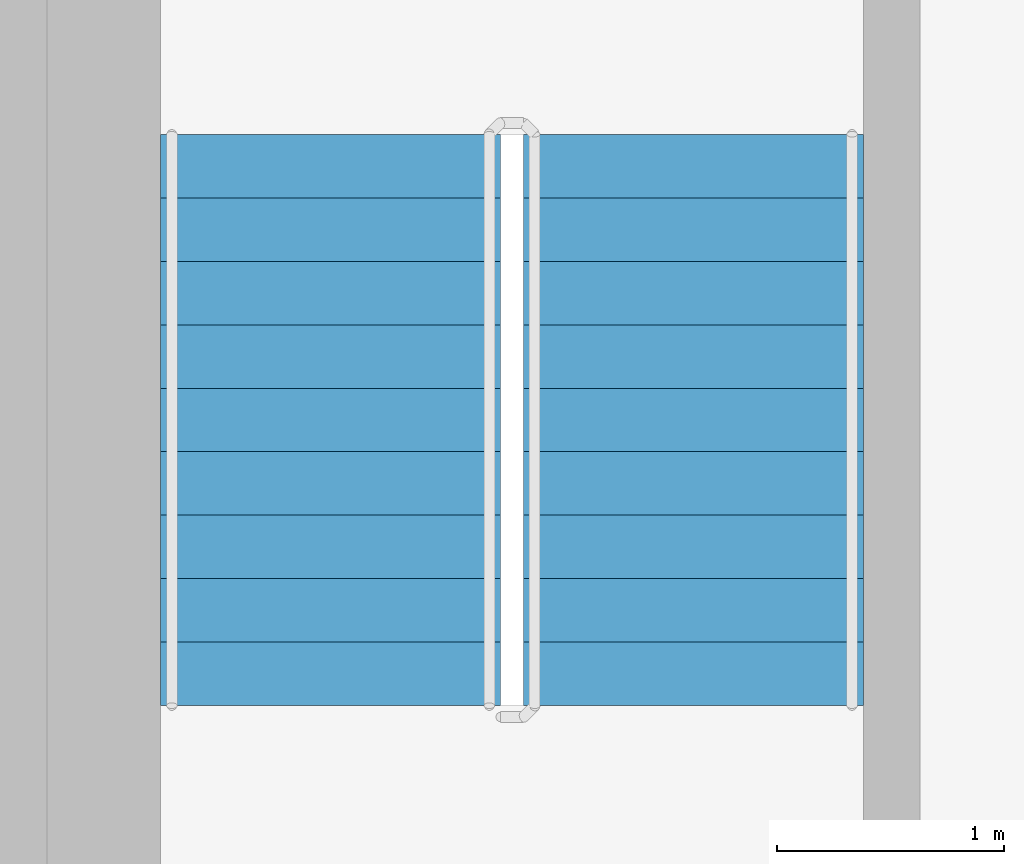
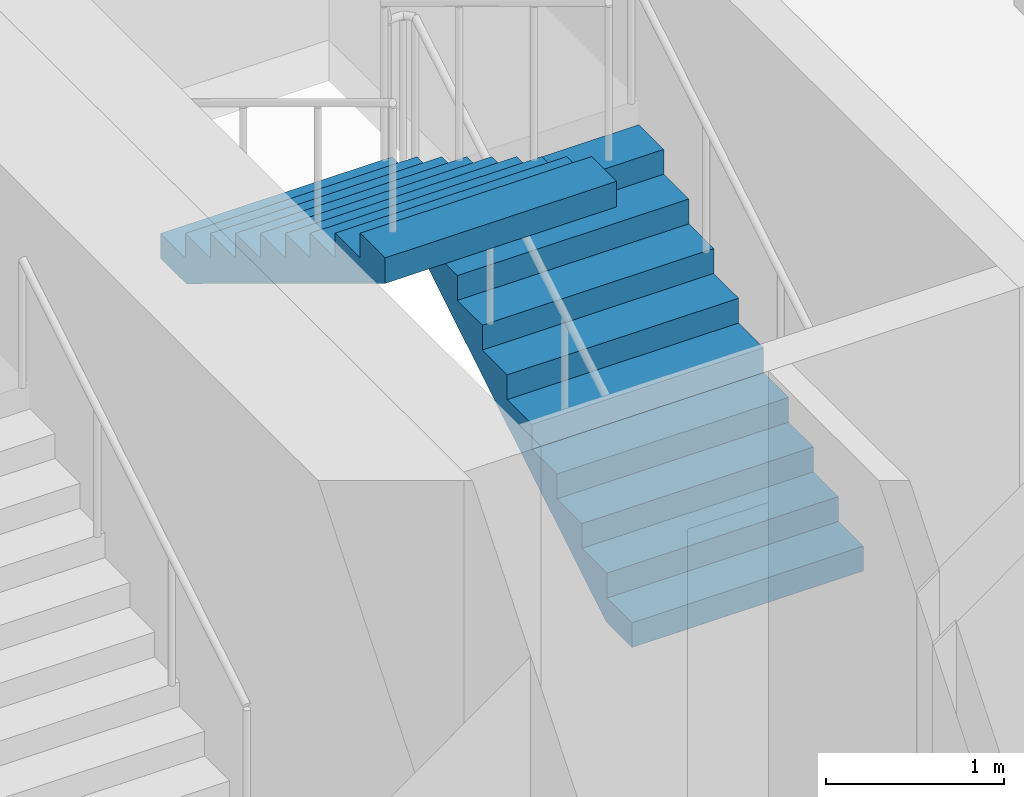
# One storey, part 21 of 24: 2 stair flights, 1 element without a shape of its own.
"""IFC4 building model written with IfcOpenShell, lengths in metres."""

from ifc_helpers import new_model, si_unit, direction, frame, origin, place, context, subcontext, project, spatial, triangles, source, transform, mapped, material, type_object, element, aggregate, save


model = new_model("IFC4")

# Units and contexts
model_context = context("Model", 3, precision=1e-05, world=origin(), true_north=direction((0.0, 1.0)))
body_context = subcontext(model_context, "Body", "Model", "MODEL_VIEW")
ifc_project = project(units=[si_unit("LENGTHUNIT", "METRE"), si_unit("AREAUNIT", "SQUARE_METRE"), si_unit("VOLUMEUNIT", "CUBIC_METRE"), si_unit("PLANEANGLEUNIT", "RADIAN"), si_unit("MASSUNIT", "GRAM", prefix="KILO")], contexts=[model_context])

# Site, building, storey
site_placement = place(None, origin())
site = spatial("IfcSite", under=ifc_project, at=site_placement, CompositionType="ELEMENT")
building_placement = place(site_placement, origin())
building = spatial("IfcBuilding", under=site, at=building_placement, Name="Kilnfold Tower and Market Hall", CompositionType="ELEMENT")
storey_placement = place(building_placement, frame((0.0, 0.0, 192.300048828125)))
storey = spatial("IfcBuildingStorey", under=building, at=storey_placement, Name="L46", CompositionType="ELEMENT", Elevation=192.300048828125)

# Stair, stair flights
ifc_material_1 = material(Name="Concrete C40/50", Category="concrete")
stair_type = type_object("IfcStairType", Name="CORE STAIR 1500", PredefinedType="HALF_TURN_STAIR", material=ifc_material_1)
stair_placement = place(storey_placement, origin())
stair = element("IfcStair", 1, at=stair_placement, inside=storey, type_object=stair_type, Name="L46 ST5", PredefinedType="HALF_TURN_STAIR")
ifc_material_2 = material(Name="Concrete C40/50", Category="concrete")
stair_flight_type = type_object("IfcStairFlightType", Name="CORE STAIR FLIGHT 1500", PredefinedType="STRAIGHT", material=ifc_material_2)
shared_shape = source(origin(), body_context, "Body", "Tessellation", [
    triangles([(0.0, 0.75, 0.0), (0.0, 0.65625, 0.0), (0.0, 0.5625, 0.0), (0.0, 0.46875, 0.0), (0.0, 0.375, 0.0), (0.0, 0.28125, 0.0), (0.0, 0.1875, 0.0), (0.0, 0.09375, 0.0), (0.0, 0.0, 0.0), (0.0, -0.09375, 0.0), (0.0, -0.1875, 0.0), (0.0, -0.28125, 0.0), (0.0, -0.375, 0.0), (0.0, -0.46875, 0.0), (0.0, -0.5625, 0.0), (0.0, -0.65625, 0.0), (0.0, -0.75, 0.0), (0.0, 0.75, 0.169921875), (0.0, 0.65625, 0.169921875), (0.0, 0.5625, 0.169921875), (0.0, 0.46875, 0.169921875), (0.0, 0.375, 0.169921875), (0.0, 0.28125, 0.169921875), (0.0, 0.1875, 0.169921875), (0.0, 0.09375, 0.169921875), (0.0, 0.0, 0.169921875), (0.0, -0.09375, 0.169921875), (0.0, -0.1875, 0.169921875), (0.0, -0.28125, 0.169921875), (0.0, -0.375, 0.169921875), (0.0, -0.46875, 0.169921875), (0.0, -0.5625, 0.169921875), (0.0, -0.65625, 0.169921875), (0.0, -0.75, 0.169921875), (0.280029296875, 0.75, 0.169921875), (0.280029296875, 0.65625, 0.169921875), (0.280029296875, 0.5625, 0.169921875), (0.280029296875, 0.46875, 0.169921875), (0.280029296875, 0.375, 0.169921875), (0.280029296875, 0.28125, 0.169921875), (0.280029296875, 0.1875, 0.169921875), (0.280029296875, 0.09375, 0.169921875), (0.280029296875, 0.0, 0.169921875), (0.280029296875, -0.09375, 0.169921875), (0.280029296875, -0.1875, 0.169921875), (0.280029296875, -0.28125, 0.169921875), (0.280029296875, -0.375, 0.169921875), (0.280029296875, -0.46875, 0.169921875), (0.280029296875, -0.5625, 0.169921875), (0.280029296875, -0.65625, 0.169921875), (0.280029296875, -0.75, 0.169921875), (0.280029296875, 0.75, 0.340087890625), (0.280029296875, 0.65625, 0.340087890625), (0.280029296875, 0.5625, 0.340087890625), (0.280029296875, 0.46875, 0.340087890625), (0.280029296875, 0.375, 0.340087890625), (0.280029296875, 0.28125, 0.340087890625), (0.280029296875, 0.1875, 0.340087890625), (0.280029296875, 0.09375, 0.340087890625), (0.280029296875, 0.0, 0.340087890625), (0.280029296875, -0.09375, 0.340087890625), (0.280029296875, -0.1875, 0.340087890625), (0.280029296875, -0.28125, 0.340087890625), (0.280029296875, -0.375, 0.340087890625), (0.280029296875, -0.46875, 0.340087890625), (0.280029296875, -0.5625, 0.340087890625), (0.280029296875, -0.65625, 0.340087890625), (0.280029296875, -0.75, 0.340087890625), (0.56005859375, 0.75, 0.340087890625), (0.56005859375, 0.65625, 0.340087890625), (0.56005859375, 0.5625, 0.340087890625), (0.56005859375, 0.46875, 0.340087890625), (0.56005859375, 0.375, 0.340087890625), (0.56005859375, 0.28125, 0.340087890625), (0.56005859375, 0.1875, 0.340087890625), (0.56005859375, 0.09375, 0.340087890625), (0.56005859375, 0.0, 0.340087890625), (0.56005859375, -0.09375, 0.340087890625), (0.56005859375, -0.1875, 0.340087890625), (0.56005859375, -0.28125, 0.340087890625), (0.56005859375, -0.375, 0.340087890625), (0.56005859375, -0.46875, 0.340087890625), (0.56005859375, -0.5625, 0.340087890625), (0.56005859375, -0.65625, 0.340087890625), (0.56005859375, -0.75, 0.340087890625), (0.56005859375, 0.75, 0.510009765625), (0.56005859375, 0.65625, 0.510009765625), (0.56005859375, 0.5625, 0.510009765625), (0.56005859375, 0.46875, 0.510009765625), (0.56005859375, 0.375, 0.510009765625), (0.56005859375, 0.28125, 0.510009765625), (0.56005859375, 0.1875, 0.510009765625), (0.56005859375, 0.09375, 0.510009765625), (0.56005859375, 0.0, 0.510009765625), (0.56005859375, -0.09375, 0.510009765625), (0.56005859375, -0.1875, 0.510009765625), (0.56005859375, -0.28125, 0.510009765625), (0.56005859375, -0.375, 0.510009765625), (0.56005859375, -0.46875, 0.510009765625), (0.56005859375, -0.5625, 0.510009765625), (0.56005859375, -0.65625, 0.510009765625), (0.56005859375, -0.75, 0.510009765625), (0.840087890625, 0.75, 0.510009765625), (0.840087890625, 0.65625, 0.510009765625), (0.840087890625, 0.5625, 0.510009765625), (0.840087890625, 0.46875, 0.510009765625), (0.840087890625, 0.375, 0.510009765625), (0.840087890625, 0.28125, 0.510009765625), (0.840087890625, 0.1875, 0.510009765625), (0.840087890625, 0.09375, 0.510009765625), (0.840087890625, 0.0, 0.510009765625), (0.840087890625, -0.09375, 0.510009765625), (0.840087890625, -0.1875, 0.510009765625), (0.840087890625, -0.28125, 0.510009765625), (0.840087890625, -0.375, 0.510009765625), (0.840087890625, -0.46875, 0.510009765625), (0.840087890625, -0.5625, 0.510009765625), (0.840087890625, -0.65625, 0.510009765625), (0.840087890625, -0.75, 0.510009765625), (0.840087890625, 0.75, 0.679931640625), (0.840087890625, 0.65625, 0.679931640625), (0.840087890625, 0.5625, 0.679931640625), (0.840087890625, 0.46875, 0.679931640625), (0.840087890625, 0.375, 0.679931640625), (0.840087890625, 0.28125, 0.679931640625), (0.840087890625, 0.1875, 0.679931640625), (0.840087890625, 0.09375, 0.679931640625), (0.840087890625, 0.0, 0.679931640625), (0.840087890625, -0.09375, 0.679931640625), (0.840087890625, -0.1875, 0.679931640625), (0.840087890625, -0.28125, 0.679931640625), (0.840087890625, -0.375, 0.679931640625), (0.840087890625, -0.46875, 0.679931640625), (0.840087890625, -0.5625, 0.679931640625), (0.840087890625, -0.65625, 0.679931640625), (0.840087890625, -0.75, 0.679931640625), (1.1201171875, 0.75, 0.679931640625), (1.1201171875, 0.65625, 0.679931640625), (1.1201171875, 0.5625, 0.679931640625), (1.1201171875, 0.46875, 0.679931640625), (1.1201171875, 0.375, 0.679931640625), (1.1201171875, 0.28125, 0.679931640625), (1.1201171875, 0.1875, 0.679931640625), (1.1201171875, 0.09375, 0.679931640625), (1.1201171875, 0.0, 0.679931640625), (1.1201171875, -0.09375, 0.679931640625), (1.1201171875, -0.1875, 0.679931640625), (1.1201171875, -0.28125, 0.679931640625), (1.1201171875, -0.375, 0.679931640625), (1.1201171875, -0.46875, 0.679931640625), (1.1201171875, -0.5625, 0.679931640625), (1.1201171875, -0.65625, 0.679931640625), (1.1201171875, -0.75, 0.679931640625), (1.1201171875, 0.75, 0.85009765625), (1.1201171875, 0.65625, 0.85009765625), (1.1201171875, 0.5625, 0.85009765625), (1.1201171875, 0.46875, 0.85009765625), (1.1201171875, 0.375, 0.85009765625), (1.1201171875, 0.28125, 0.85009765625), (1.1201171875, 0.1875, 0.85009765625), (1.1201171875, 0.09375, 0.85009765625), (1.1201171875, 0.0, 0.85009765625), (1.1201171875, -0.09375, 0.85009765625), (1.1201171875, -0.1875, 0.85009765625), (1.1201171875, -0.28125, 0.85009765625), (1.1201171875, -0.375, 0.85009765625), (1.1201171875, -0.46875, 0.85009765625), (1.1201171875, -0.5625, 0.85009765625), (1.1201171875, -0.65625, 0.85009765625), (1.1201171875, -0.75, 0.85009765625), (1.39990234375, 0.75, 0.85009765625), (1.39990234375, 0.65625, 0.85009765625), (1.39990234375, 0.5625, 0.85009765625), (1.39990234375, 0.46875, 0.85009765625), (1.39990234375, 0.375, 0.85009765625), (1.39990234375, 0.28125, 0.85009765625), (1.39990234375, 0.1875, 0.85009765625), (1.39990234375, 0.09375, 0.85009765625), (1.39990234375, 0.0, 0.85009765625), (1.39990234375, -0.09375, 0.85009765625), (1.39990234375, -0.1875, 0.85009765625), (1.39990234375, -0.28125, 0.85009765625), (1.39990234375, -0.375, 0.85009765625), (1.39990234375, -0.46875, 0.85009765625), (1.39990234375, -0.5625, 0.85009765625), (1.39990234375, -0.65625, 0.85009765625), (1.39990234375, -0.75, 0.85009765625), (1.39990234375, 0.75, 1.02001953125), (1.39990234375, 0.65625, 1.02001953125), (1.39990234375, 0.5625, 1.02001953125), (1.39990234375, 0.46875, 1.02001953125), (1.39990234375, 0.375, 1.02001953125), (1.39990234375, 0.28125, 1.02001953125), (1.39990234375, 0.1875, 1.02001953125), (1.39990234375, 0.09375, 1.02001953125), (1.39990234375, 0.0, 1.02001953125), (1.39990234375, -0.09375, 1.02001953125), (1.39990234375, -0.1875, 1.02001953125), (1.39990234375, -0.28125, 1.02001953125), (1.39990234375, -0.375, 1.02001953125), (1.39990234375, -0.46875, 1.02001953125), (1.39990234375, -0.5625, 1.02001953125), (1.39990234375, -0.65625, 1.02001953125), (1.39990234375, -0.75, 1.02001953125), (1.679931640625, 0.75, 1.02001953125), (1.679931640625, 0.65625, 1.02001953125), (1.679931640625, 0.5625, 1.02001953125), (1.679931640625, 0.46875, 1.02001953125), (1.679931640625, 0.375, 1.02001953125), (1.679931640625, 0.28125, 1.02001953125), (1.679931640625, 0.1875, 1.02001953125), (1.679931640625, 0.09375, 1.02001953125), (1.679931640625, 0.0, 1.02001953125), (1.679931640625, -0.09375, 1.02001953125), (1.679931640625, -0.1875, 1.02001953125), (1.679931640625, -0.28125, 1.02001953125), (1.679931640625, -0.375, 1.02001953125), (1.679931640625, -0.46875, 1.02001953125), (1.679931640625, -0.5625, 1.02001953125), (1.679931640625, -0.65625, 1.02001953125), (1.679931640625, -0.75, 1.02001953125), (1.679931640625, 0.75, 1.18994140625), (1.679931640625, 0.65625, 1.18994140625), (1.679931640625, 0.5625, 1.18994140625), (1.679931640625, 0.46875, 1.18994140625), (1.679931640625, 0.375, 1.18994140625), (1.679931640625, 0.28125, 1.18994140625), (1.679931640625, 0.1875, 1.18994140625), (1.679931640625, 0.09375, 1.18994140625), (1.679931640625, 0.0, 1.18994140625), (1.679931640625, -0.09375, 1.18994140625), (1.679931640625, -0.1875, 1.18994140625), (1.679931640625, -0.28125, 1.18994140625), (1.679931640625, -0.375, 1.18994140625), (1.679931640625, -0.46875, 1.18994140625), (1.679931640625, -0.5625, 1.18994140625), (1.679931640625, -0.65625, 1.18994140625), (1.679931640625, -0.75, 1.18994140625), (1.9599609375, 0.75, 1.18994140625), (1.9599609375, 0.65625, 1.18994140625), (1.9599609375, 0.5625, 1.18994140625), (1.9599609375, 0.46875, 1.18994140625), (1.9599609375, 0.375, 1.18994140625), (1.9599609375, 0.28125, 1.18994140625), (1.9599609375, 0.1875, 1.18994140625), (1.9599609375, 0.09375, 1.18994140625), (1.9599609375, 0.0, 1.18994140625), (1.9599609375, -0.09375, 1.18994140625), (1.9599609375, -0.1875, 1.18994140625), (1.9599609375, -0.28125, 1.18994140625), (1.9599609375, -0.375, 1.18994140625), (1.9599609375, -0.46875, 1.18994140625), (1.9599609375, -0.5625, 1.18994140625), (1.9599609375, -0.65625, 1.18994140625), (1.9599609375, -0.75, 1.18994140625), (1.9599609375, 0.75, 1.360107421875), (1.9599609375, 0.65625, 1.360107421875), (1.9599609375, 0.5625, 1.360107421875), (1.9599609375, 0.46875, 1.360107421875), (1.9599609375, 0.375, 1.360107421875), (1.9599609375, 0.28125, 1.360107421875), (1.9599609375, 0.1875, 1.360107421875), (1.9599609375, 0.09375, 1.360107421875), (1.9599609375, 0.0, 1.360107421875), (1.9599609375, -0.09375, 1.360107421875), (1.9599609375, -0.1875, 1.360107421875), (1.9599609375, -0.28125, 1.360107421875), (1.9599609375, -0.375, 1.360107421875), (1.9599609375, -0.46875, 1.360107421875), (1.9599609375, -0.5625, 1.360107421875), (1.9599609375, -0.65625, 1.360107421875), (1.9599609375, -0.75, 1.360107421875), (2.239990234375, 0.75, 1.360107421875), (2.239990234375, 0.65625, 1.360107421875), (2.239990234375, 0.5625, 1.360107421875), (2.239990234375, 0.46875, 1.360107421875), (2.239990234375, 0.375, 1.360107421875), (2.239990234375, 0.28125, 1.360107421875), (2.239990234375, 0.1875, 1.360107421875), (2.239990234375, 0.09375, 1.360107421875), (2.239990234375, 0.0, 1.360107421875), (2.239990234375, -0.09375, 1.360107421875), (2.239990234375, -0.1875, 1.360107421875), (2.239990234375, -0.28125, 1.360107421875), (2.239990234375, -0.375, 1.360107421875), (2.239990234375, -0.46875, 1.360107421875), (2.239990234375, -0.5625, 1.360107421875), (2.239990234375, -0.65625, 1.360107421875), (2.239990234375, -0.75, 1.360107421875), (2.239990234375, 0.75, 1.530029296875), (2.239990234375, 0.65625, 1.530029296875), (2.239990234375, 0.5625, 1.530029296875), (2.239990234375, 0.46875, 1.530029296875), (2.239990234375, 0.375, 1.530029296875), (2.239990234375, 0.28125, 1.530029296875), (2.239990234375, 0.1875, 1.530029296875), (2.239990234375, 0.09375, 1.530029296875), (2.239990234375, 0.0, 1.530029296875), (2.239990234375, -0.09375, 1.530029296875), (2.239990234375, -0.1875, 1.530029296875), (2.239990234375, -0.28125, 1.530029296875), (2.239990234375, -0.375, 1.530029296875), (2.239990234375, -0.46875, 1.530029296875), (2.239990234375, -0.5625, 1.530029296875), (2.239990234375, -0.65625, 1.530029296875), (2.239990234375, -0.75, 1.530029296875), (2.52001953125, 0.75, 1.530029296875), (2.52001953125, 0.65625, 1.530029296875), (2.52001953125, 0.5625, 1.530029296875), (2.52001953125, 0.46875, 1.530029296875), (2.52001953125, 0.375, 1.530029296875), (2.52001953125, 0.28125, 1.530029296875), (2.52001953125, 0.1875, 1.530029296875), (2.52001953125, 0.09375, 1.530029296875), (2.52001953125, 0.0, 1.530029296875), (2.52001953125, -0.09375, 1.530029296875), (2.52001953125, -0.1875, 1.530029296875), (2.52001953125, -0.28125, 1.530029296875), (2.52001953125, -0.375, 1.530029296875), (2.52001953125, -0.46875, 1.530029296875), (2.52001953125, -0.5625, 1.530029296875), (2.52001953125, -0.65625, 1.530029296875), (2.52001953125, -0.75, 1.530029296875), (2.52001953125, 0.75, 1.354736328125), (2.52001953125, 0.65625, 1.354736328125), (2.52001953125, 0.5625, 1.354736328125), (2.52001953125, 0.46875, 1.354736328125), (2.52001953125, 0.375, 1.354736328125), (2.52001953125, 0.28125, 1.354736328125), (2.52001953125, 0.1875, 1.354736328125), (2.52001953125, 0.09375, 1.354736328125), (2.52001953125, 0.0, 1.354736328125), (2.52001953125, -0.09375, 1.354736328125), (2.52001953125, -0.1875, 1.354736328125), (2.52001953125, -0.28125, 1.354736328125), (2.52001953125, -0.375, 1.354736328125), (2.52001953125, -0.46875, 1.354736328125), (2.52001953125, -0.5625, 1.354736328125), (2.52001953125, -0.65625, 1.354736328125), (2.52001953125, -0.75, 1.354736328125), (0.288818359375, 0.75, 0.0), (0.288818359375, 0.65625, 0.0), (0.288818359375, 0.5625, 0.0), (0.288818359375, 0.46875, 0.0), (0.288818359375, 0.375, 0.0), (0.288818359375, 0.28125, 0.0), (0.288818359375, 0.1875, 0.0), (0.288818359375, 0.09375, 0.0), (0.288818359375, 0.0, 0.0), (0.288818359375, -0.09375, 0.0), (0.288818359375, -0.1875, 0.0), (0.288818359375, -0.28125, 0.0), (0.288818359375, -0.375, 0.0), (0.288818359375, -0.46875, 0.0), (0.288818359375, -0.5625, 0.0), (0.288818359375, -0.65625, 0.0), (0.288818359375, -0.75, 0.0)], [[1, 324, 341], [17, 357, 340], [324, 290, 307], [340, 323, 306], [324, 273, 290], [340, 306, 289], [324, 256, 273], [340, 289, 272], [324, 239, 256], [340, 272, 255], [239, 205, 222], [255, 238, 221], [324, 205, 239], [340, 255, 221], [205, 171, 188], [221, 204, 187], [324, 171, 205], [340, 221, 187], [171, 137, 154], [187, 170, 153], [324, 137, 171], [340, 187, 153], [137, 103, 120], [153, 136, 119], [324, 103, 137], [340, 153, 119], [103, 69, 86], [119, 102, 85], [324, 69, 103], [340, 119, 85], [69, 35, 52], [85, 68, 51], [324, 35, 69], [340, 85, 51], [1, 35, 324], [17, 340, 51], [35, 1, 18], [51, 34, 17], [1, 19, 18], [1, 2, 19], [2, 20, 19], [2, 3, 20], [3, 21, 20], [3, 4, 21], [4, 22, 21], [4, 5, 22], [5, 23, 22], [5, 6, 23], [6, 24, 23], [6, 7, 24], [7, 25, 24], [7, 8, 25], [8, 26, 25], [8, 9, 26], [9, 27, 26], [9, 10, 27], [10, 28, 27], [10, 11, 28], [11, 29, 28], [11, 12, 29], [12, 30, 29], [12, 13, 30], [13, 31, 30], [13, 14, 31], [14, 32, 31], [14, 15, 32], [15, 33, 32], [15, 16, 33], [16, 34, 33], [16, 17, 34], [18, 36, 35], [18, 19, 36], [19, 37, 36], [19, 20, 37], [20, 38, 37], [20, 21, 38], [21, 39, 38], [21, 22, 39], [22, 40, 39], [22, 23, 40], [23, 41, 40], [23, 24, 41], [24, 42, 41], [24, 25, 42], [25, 43, 42], [25, 26, 43], [26, 44, 43], [26, 27, 44], [27, 45, 44], [27, 28, 45], [28, 46, 45], [28, 29, 46], [29, 47, 46], [29, 30, 47], [30, 48, 47], [30, 31, 48], [31, 49, 48], [31, 32, 49], [32, 50, 49], [32, 33, 50], [33, 51, 50], [33, 34, 51], [35, 53, 52], [35, 36, 53], [36, 54, 53], [36, 37, 54], [37, 55, 54], [37, 38, 55], [38, 56, 55], [38, 39, 56], [39, 57, 56], [39, 40, 57], [40, 58, 57], [40, 41, 58], [41, 59, 58], [41, 42, 59], [42, 60, 59], [42, 43, 60], [43, 61, 60], [43, 44, 61], [44, 62, 61], [44, 45, 62], [45, 63, 62], [45, 46, 63], [46, 64, 63], [46, 47, 64], [47, 65, 64], [47, 48, 65], [48, 66, 65], [48, 49, 66], [49, 67, 66], [49, 50, 67], [50, 68, 67], [50, 51, 68], [52, 70, 69], [52, 53, 70], [53, 71, 70], [53, 54, 71], [54, 72, 71], [54, 55, 72], [55, 73, 72], [55, 56, 73], [56, 74, 73], [56, 57, 74], [57, 75, 74], [57, 58, 75], [58, 76, 75], [58, 59, 76], [59, 77, 76], [59, 60, 77], [60, 78, 77], [60, 61, 78], [61, 79, 78], [61, 62, 79], [62, 80, 79], [62, 63, 80], [63, 81, 80], [63, 64, 81], [64, 82, 81], [64, 65, 82], [65, 83, 82], [65, 66, 83], [66, 84, 83], [66, 67, 84], [67, 85, 84], [67, 68, 85], [69, 87, 86], [69, 70, 87], [70, 88, 87], [70, 71, 88], [71, 89, 88], [71, 72, 89], [72, 90, 89], [72, 73, 90], [73, 91, 90], [73, 74, 91], [74, 92, 91], [74, 75, 92], [75, 93, 92], [75, 76, 93], [76, 94, 93], [76, 77, 94], [77, 95, 94], [77, 78, 95], [78, 96, 95], [78, 79, 96], [79, 97, 96], [79, 80, 97], [80, 98, 97], [80, 81, 98], [81, 99, 98], [81, 82, 99], [82, 100, 99], [82, 83, 100], [83, 101, 100], [83, 84, 101], [84, 102, 101], [84, 85, 102], [86, 104, 103], [86, 87, 104], [87, 105, 104], [87, 88, 105], [88, 106, 105], [88, 89, 106], [89, 107, 106], [89, 90, 107], [90, 108, 107], [90, 91, 108], [91, 109, 108], [91, 92, 109], [92, 110, 109], [92, 93, 110], [93, 111, 110], [93, 94, 111], [94, 112, 111], [94, 95, 112], [95, 113, 112], [95, 96, 113], [96, 114, 113], [96, 97, 114], [97, 115, 114], [97, 98, 115], [98, 116, 115], [98, 99, 116], [99, 117, 116], [99, 100, 117], [100, 118, 117], [100, 101, 118], [101, 119, 118], [101, 102, 119], [103, 121, 120], [103, 104, 121], [104, 122, 121], [104, 105, 122], [105, 123, 122], [105, 106, 123], [106, 124, 123], [106, 107, 124], [107, 125, 124], [107, 108, 125], [108, 126, 125], [108, 109, 126], [109, 127, 126], [109, 110, 127], [110, 128, 127], [110, 111, 128], [111, 129, 128], [111, 112, 129], [112, 130, 129], [112, 113, 130], [113, 131, 130], [113, 114, 131], [114, 132, 131], [114, 115, 132], [115, 133, 132], [115, 116, 133], [116, 134, 133], [116, 117, 134], [117, 135, 134], [117, 118, 135], [118, 136, 135], [118, 119, 136], [120, 138, 137], [120, 121, 138], [121, 139, 138], [121, 122, 139], [122, 140, 139], [122, 123, 140], [123, 141, 140], [123, 124, 141], [124, 142, 141], [124, 125, 142], [125, 143, 142], [125, 126, 143], [126, 144, 143], [126, 127, 144], [127, 145, 144], [127, 128, 145], [128, 146, 145], [128, 129, 146], [129, 147, 146], [129, 130, 147], [130, 148, 147], [130, 131, 148], [131, 149, 148], [131, 132, 149], [132, 150, 149], [132, 133, 150], [133, 151, 150], [133, 134, 151], [134, 152, 151], [134, 135, 152], [135, 153, 152], [135, 136, 153], [137, 155, 154], [137, 138, 155], [138, 156, 155], [138, 139, 156], [139, 157, 156], [139, 140, 157], [140, 158, 157], [140, 141, 158], [141, 159, 158], [141, 142, 159], [142, 160, 159], [142, 143, 160], [143, 161, 160], [143, 144, 161], [144, 162, 161], [144, 145, 162], [145, 163, 162], [145, 146, 163], [146, 164, 163], [146, 147, 164], [147, 165, 164], [147, 148, 165], [148, 166, 165], [148, 149, 166], [149, 167, 166], [149, 150, 167], [150, 168, 167], [150, 151, 168], [151, 169, 168], [151, 152, 169], [152, 170, 169], [152, 153, 170], [154, 172, 171], [154, 155, 172], [155, 173, 172], [155, 156, 173], [156, 174, 173], [156, 157, 174], [157, 175, 174], [157, 158, 175], [158, 176, 175], [158, 159, 176], [159, 177, 176], [159, 160, 177], [160, 178, 177], [160, 161, 178], [161, 179, 178], [161, 162, 179], [162, 180, 179], [162, 163, 180], [163, 181, 180], [163, 164, 181], [164, 182, 181], [164, 165, 182], [165, 183, 182], [165, 166, 183], [166, 184, 183], [166, 167, 184], [167, 185, 184], [167, 168, 185], [168, 186, 185], [168, 169, 186], [169, 187, 186], [169, 170, 187], [171, 189, 188], [171, 172, 189], [172, 190, 189], [172, 173, 190], [173, 191, 190], [173, 174, 191], [174, 192, 191], [174, 175, 192], [175, 193, 192], [175, 176, 193], [176, 194, 193], [176, 177, 194], [177, 195, 194], [177, 178, 195], [178, 196, 195], [178, 179, 196], [179, 197, 196], [179, 180, 197], [180, 198, 197], [180, 181, 198], [181, 199, 198], [181, 182, 199], [182, 200, 199], [182, 183, 200], [183, 201, 200], [183, 184, 201], [184, 202, 201], [184, 185, 202], [185, 203, 202], [185, 186, 203], [186, 204, 203], [186, 187, 204], [188, 206, 205], [188, 189, 206], [189, 207, 206], [189, 190, 207], [190, 208, 207], [190, 191, 208], [191, 209, 208], [191, 192, 209], [192, 210, 209], [192, 193, 210], [193, 211, 210], [193, 194, 211], [194, 212, 211], [194, 195, 212], [195, 213, 212], [195, 196, 213], [196, 214, 213], [196, 197, 214], [197, 215, 214], [197, 198, 215], [198, 216, 215], [198, 199, 216], [199, 217, 216], [199, 200, 217], [200, 218, 217], [200, 201, 218], [201, 219, 218], [201, 202, 219], [202, 220, 219], [202, 203, 220], [203, 221, 220], [203, 204, 221], [205, 223, 222], [205, 206, 223], [206, 224, 223], [206, 207, 224], [207, 225, 224], [207, 208, 225], [208, 226, 225], [208, 209, 226], [209, 227, 226], [209, 210, 227], [210, 228, 227], [210, 211, 228], [211, 229, 228], [211, 212, 229], [212, 230, 229], [212, 213, 230], [213, 231, 230], [213, 214, 231], [214, 232, 231], [214, 215, 232], [215, 233, 232], [215, 216, 233], [216, 234, 233], [216, 217, 234], [217, 235, 234], [217, 218, 235], [218, 236, 235], [218, 219, 236], [219, 237, 236], [219, 220, 237], [220, 238, 237], [220, 221, 238], [222, 240, 239], [222, 223, 240], [223, 241, 240], [223, 224, 241], [224, 242, 241], [224, 225, 242], [225, 243, 242], [225, 226, 243], [226, 244, 243], [226, 227, 244], [227, 245, 244], [227, 228, 245], [228, 246, 245], [228, 229, 246], [229, 247, 246], [229, 230, 247], [230, 248, 247], [230, 231, 248], [231, 249, 248], [231, 232, 249], [232, 250, 249], [232, 233, 250], [233, 251, 250], [233, 234, 251], [234, 252, 251], [234, 235, 252], [235, 253, 252], [235, 236, 253], [236, 254, 253], [236, 237, 254], [237, 255, 254], [237, 238, 255], [239, 257, 256], [239, 240, 257], [240, 258, 257], [240, 241, 258], [241, 259, 258], [241, 242, 259], [242, 260, 259], [242, 243, 260], [243, 261, 260], [243, 244, 261], [244, 262, 261], [244, 245, 262], [245, 263, 262], [245, 246, 263], [246, 264, 263], [246, 247, 264], [247, 265, 264], [247, 248, 265], [248, 266, 265], [248, 249, 266], [249, 267, 266], [249, 250, 267], [250, 268, 267], [250, 251, 268], [251, 269, 268], [251, 252, 269], [252, 270, 269], [252, 253, 270], [253, 271, 270], [253, 254, 271], [254, 272, 271], [254, 255, 272], [256, 274, 273], [256, 257, 274], [257, 275, 274], [257, 258, 275], [258, 276, 275], [258, 259, 276], [259, 277, 276], [259, 260, 277], [260, 278, 277], [260, 261, 278], [261, 279, 278], [261, 262, 279], [262, 280, 279], [262, 263, 280], [263, 281, 280], [263, 264, 281], [264, 282, 281], [264, 265, 282], [265, 283, 282], [265, 266, 283], [266, 284, 283], [266, 267, 284], [267, 285, 284], [267, 268, 285], [268, 286, 285], [268, 269, 286], [269, 287, 286], [269, 270, 287], [270, 288, 287], [270, 271, 288], [271, 289, 288], [271, 272, 289], [273, 291, 290], [273, 274, 291], [274, 292, 291], [274, 275, 292], [275, 293, 292], [275, 276, 293], [276, 294, 293], [276, 277, 294], [277, 295, 294], [277, 278, 295], [278, 296, 295], [278, 279, 296], [279, 297, 296], [279, 280, 297], [280, 298, 297], [280, 281, 298], [281, 299, 298], [281, 282, 299], [282, 300, 299], [282, 283, 300], [283, 301, 300], [283, 284, 301], [284, 302, 301], [284, 285, 302], [285, 303, 302], [285, 286, 303], [286, 304, 303], [286, 287, 304], [287, 305, 304], [287, 288, 305], [288, 306, 305], [288, 289, 306], [290, 308, 307], [290, 291, 308], [291, 309, 308], [291, 292, 309], [292, 310, 309], [292, 293, 310], [293, 311, 310], [293, 294, 311], [294, 312, 311], [294, 295, 312], [295, 313, 312], [295, 296, 313], [296, 314, 313], [296, 297, 314], [297, 315, 314], [297, 298, 315], [298, 316, 315], [298, 299, 316], [299, 317, 316], [299, 300, 317], [300, 318, 317], [300, 301, 318], [301, 319, 318], [301, 302, 319], [302, 320, 319], [302, 303, 320], [303, 321, 320], [303, 304, 321], [304, 322, 321], [304, 305, 322], [305, 323, 322], [305, 306, 323], [307, 325, 324], [307, 308, 325], [308, 326, 325], [308, 309, 326], [309, 327, 326], [309, 310, 327], [310, 328, 327], [310, 311, 328], [311, 329, 328], [311, 312, 329], [312, 330, 329], [312, 313, 330], [313, 331, 330], [313, 314, 331], [314, 332, 331], [314, 315, 332], [315, 333, 332], [315, 316, 333], [316, 334, 333], [316, 317, 334], [317, 335, 334], [317, 318, 335], [318, 336, 335], [318, 319, 336], [319, 337, 336], [319, 320, 337], [320, 338, 337], [320, 321, 338], [321, 339, 338], [321, 322, 339], [322, 340, 339], [322, 323, 340], [324, 342, 341], [324, 325, 342], [325, 343, 342], [325, 326, 343], [326, 344, 343], [326, 327, 344], [327, 345, 344], [327, 328, 345], [328, 346, 345], [328, 329, 346], [329, 347, 346], [329, 330, 347], [330, 348, 347], [330, 331, 348], [331, 349, 348], [331, 332, 349], [332, 350, 349], [332, 333, 350], [333, 351, 350], [333, 334, 351], [334, 352, 351], [334, 335, 352], [335, 353, 352], [335, 336, 353], [336, 354, 353], [336, 337, 354], [337, 355, 354], [337, 338, 355], [338, 356, 355], [338, 339, 356], [339, 357, 356], [339, 340, 357], [341, 2, 1], [341, 342, 2], [342, 3, 2], [342, 343, 3], [343, 4, 3], [343, 344, 4], [344, 5, 4], [344, 345, 5], [345, 6, 5], [345, 346, 6], [346, 7, 6], [346, 347, 7], [347, 8, 7], [347, 348, 8], [348, 9, 8], [348, 349, 9], [349, 10, 9], [349, 350, 10], [350, 11, 10], [350, 351, 11], [351, 12, 11], [351, 352, 12], [352, 13, 12], [352, 353, 13], [353, 14, 13], [353, 354, 14], [354, 15, 14], [354, 355, 15], [355, 16, 15], [355, 356, 16], [356, 17, 16], [356, 357, 17]], closed=True),
])
stair_flight_1_placement = place(storey_placement, frame((20.699951171875, 11.5, 0.0), z_axis=(0.0, 0.0, 1.0), x_axis=(0.0, 1.0, 0.0)))
stair_flight_1 = element("IfcStairFlight", 2, at=stair_flight_1_placement, type_object=stair_flight_type, Name="ST5 flight 1", NumberOfRisers=10, NumberOfTreads=9, PredefinedType="STRAIGHT", RiserHeight=0.17, TreadLength=0.28, context=body_context, shape_type="MappedRepresentation", body=[
    mapped(shared_shape, transform((0.0, 0.0, 0.0))),
])
stair_flight_2_placement = place(storey_placement, frame((19.10009765625, 14.02001953125, 1.699951171875), z_axis=(0.0, 0.0, 1.0), x_axis=(0.0, -1.0, 0.0)))
stair_flight_2 = element("IfcStairFlight", 3, at=stair_flight_2_placement, type_object=stair_flight_type, Name="ST5 flight 2", NumberOfRisers=10, NumberOfTreads=9, PredefinedType="STRAIGHT", RiserHeight=0.17, TreadLength=0.28, context=body_context, shape_type="MappedRepresentation", body=[
    mapped(shared_shape, transform((0.0, 0.0, 0.0))),
])
aggregate(stair, [stair_flight_1, stair_flight_2])

save(model, "model.ifc")
